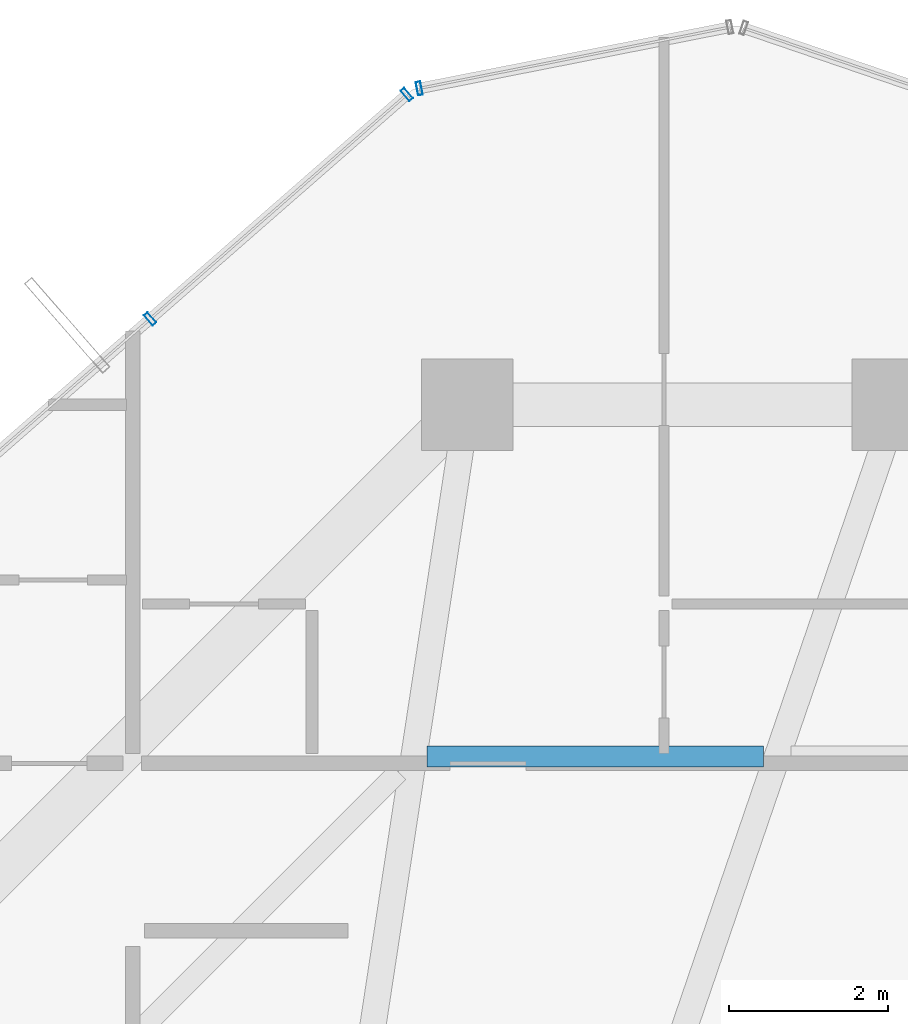
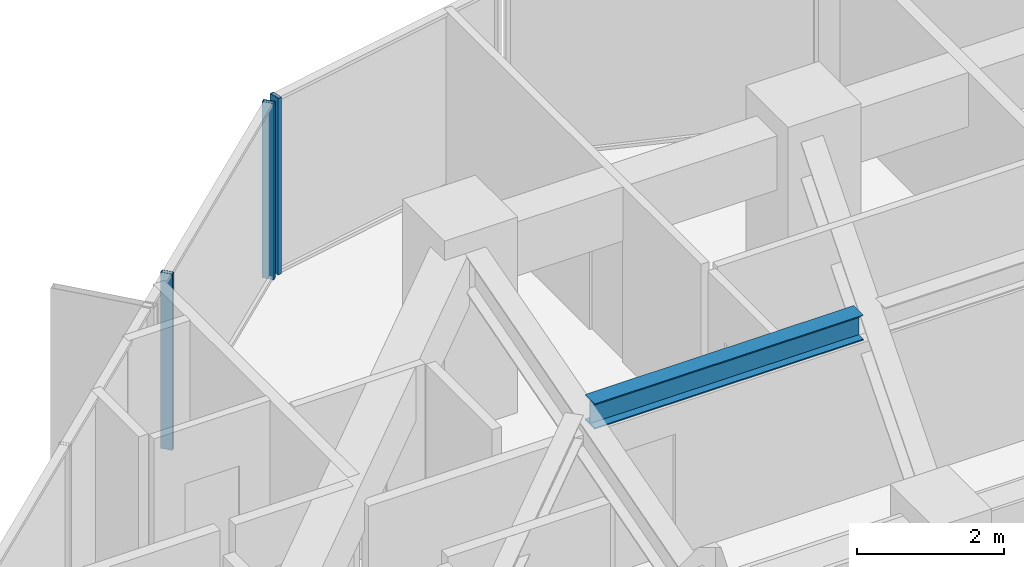
# One storey, part 23 of 36: 3 members, 1 beam, 2 elements without a shape of their own.
"""IFC4 building model written with IfcOpenShell, lengths in metres."""

from ifc_helpers import new_model, si_unit, direction, frame, origin, origin_2d, place, context, subcontext, project, spatial, hollow_rectangle, i_section, extrude, source, transform, mapped, material, layer, layer_set, material_profile, profile_set, type_object, element, aggregate, save


model = new_model("IFC4")

# Units and contexts
model_context = context("Model", 3, precision=1e-05, world=origin(), true_north=direction((0.0, 1.0)))
body_context = subcontext(model_context, "Body", "Model", "MODEL_VIEW")
ifc_project = project(units=[si_unit("LENGTHUNIT", "METRE"), si_unit("AREAUNIT", "SQUARE_METRE"), si_unit("VOLUMEUNIT", "CUBIC_METRE"), si_unit("PLANEANGLEUNIT", "RADIAN"), si_unit("MASSUNIT", "GRAM", prefix="KILO")], contexts=[model_context])

# Site, building, storey
site_placement = place(None, origin())
site = spatial("IfcSite", under=ifc_project, at=site_placement, CompositionType="ELEMENT")
building_placement = place(site_placement, origin())
building = spatial("IfcBuilding", under=site, at=building_placement, Name="Veraguas Prism Commons", CompositionType="ELEMENT")
storey_placement = place(building_placement, frame((0.0, 0.0, 166.300048828125)))
storey = spatial("IfcBuildingStorey", under=building, at=storey_placement, Name="L47", CompositionType="ELEMENT", Elevation=166.300048828125)

# Beam
ifc_material_1 = material(Name="Steel ASTM A992 Grade 50", Category="steel")
ifc_material_profile_1 = material_profile(ifc_material_1, i_section(OverallWidth=0.260986328125, OverallDepth=0.419921875, WebThickness=0.01171875, FlangeThickness=0.019287109375, at=origin_2d()), Name="W410X114")
ifc_profile_set_1 = profile_set([ifc_material_profile_1], Name="Steel ASTM A992 Grade 50")
beam_type = type_object("IfcBeamType", Name="Lower Floor Joist W410x114", PredefinedType="JOIST", material=ifc_profile_set_1)
beam_placement = place(storey_placement, frame((22.31689453125, 35.783935546875, 2.719970703125), z_axis=(-1.0, 0.0, 0.0), x_axis=(0.0, -1.0, 0.0)))
element("IfcBeam", 1, at=beam_placement, inside=storey, type_object=beam_type, Name="Composite Floor Joist L47-JS05", PredefinedType="JOIST", context=body_context, shape_type="SweptSolid", body=[
    extrude(i_section(OverallWidth=0.260986328125, OverallDepth=0.419921875, WebThickness=0.01171875, FlangeThickness=0.019287109375, at=origin_2d()), origin(), (0.0, 0.0, 1.0), 4.22509765625),
])

# Curtain wall, members
ifc_material_2 = material(Name="Anodised aluminium EN AW-6063 T6", Category="aluminium")
ifc_layer = layer(ifc_material_2, 0.169921875, Name="Unitised Flush Curtain Wall Zone 2", Category="aluminium")
ifc_layer_set = layer_set([ifc_layer], Name="Anodised aluminium EN AW-6063 T6")
curtain_wall_type = type_object("IfcCurtainWallType", Name="Unitised Flush Curtain Wall Zone 2", PredefinedType="NOTDEFINED", material=ifc_layer_set)
curtain_wall_1_placement = place(storey_placement, origin())
curtain_wall_1 = element("IfcCurtainWall", 2, at=curtain_wall_1_placement, inside=storey, type_object=curtain_wall_type, Name="Tower Facade Curtain Wall L47-F2", PredefinedType="NOTDEFINED")
ifc_material_profile_2 = material_profile(ifc_material_2, hollow_rectangle(XDim=0.06005859375, YDim=0.169921875, WallThickness=0.00390625, at=origin_2d()), Name="AL60X170X4")
ifc_profile_set_2 = profile_set([ifc_material_profile_2], Name="Anodised aluminium EN AW-6063 T6")
member_type = type_object("IfcMemberType", Name="Curtain Wall Mullion Lower AL 60x170x4", PredefinedType="MULLION", material=ifc_profile_set_2)
shared_shape = source(origin(), body_context, "Body", "SweptSolid", [
    extrude(hollow_rectangle(XDim=0.06005859375, YDim=0.169921875, WallThickness=0.00390625, at=origin_2d()), origin(), (0.0, 0.0, 1.0), 2.929931640625),
])
member_1_placement = place(storey_placement, frame((17.83984375, 44.09375, 0.0), z_axis=(0.0, 0.0, 1.0), x_axis=(-0.752872280062, -0.658166642967, 0.0)))
member_1 = element("IfcMember", 3, at=member_1_placement, type_object=member_type, Name="CW-Z2 Mullion 1", PredefinedType="MULLION", context=body_context, shape_type="MappedRepresentation", body=[
    mapped(shared_shape, transform((0.0, 0.0, 0.0), scale=1.0)),
])
member_2_placement = place(storey_placement, frame((14.61865234375, 41.27783203125, 0.0), z_axis=(0.0, 0.0, 1.0), x_axis=(-0.752872280062, -0.658166642967, 0.0)))
member_2 = element("IfcMember", 4, at=member_2_placement, type_object=member_type, Name="CW-Z2 Mullion 2", PredefinedType="MULLION", context=body_context, shape_type="MappedRepresentation", body=[
    mapped(shared_shape, transform((0.0, 0.0, 0.0), scale=1.0)),
])
aggregate(curtain_wall_1, [member_1, member_2])

# Curtain wall, member
curtain_wall_2_placement = place(storey_placement, origin())
curtain_wall_2 = element("IfcCurtainWall", 5, at=curtain_wall_2_placement, inside=storey, type_object=curtain_wall_type, Name="Chamfer Curtain Wall L47-C2", PredefinedType="NOTDEFINED")
member_3_placement = place(storey_placement, frame((17.995849609375, 44.17041015625, 0.0), z_axis=(0.0, 0.0, 1.0), x_axis=(-0.981090517443, -0.193549468051, 0.0)))
member_3 = element("IfcMember", 6, at=member_3_placement, type_object=member_type, Name="CW-Z2 Mullion 2", PredefinedType="MULLION", context=body_context, shape_type="MappedRepresentation", body=[
    mapped(shared_shape, transform((0.0, 0.0, 0.0), scale=1.0)),
])
aggregate(curtain_wall_2, [member_3])

save(model, "model.ifc")
